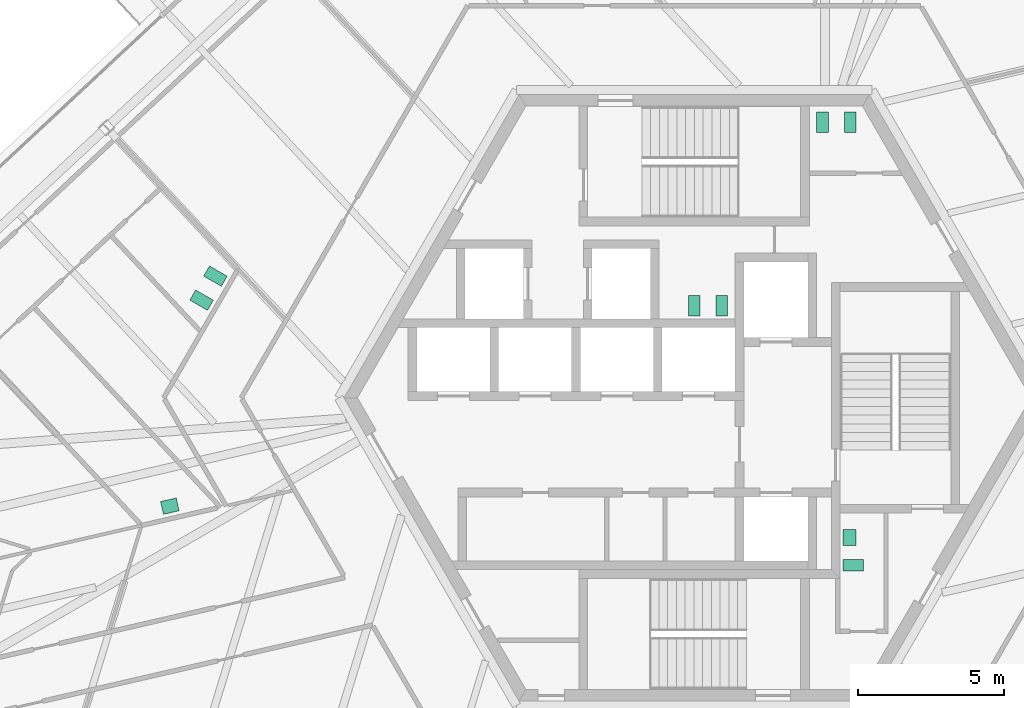
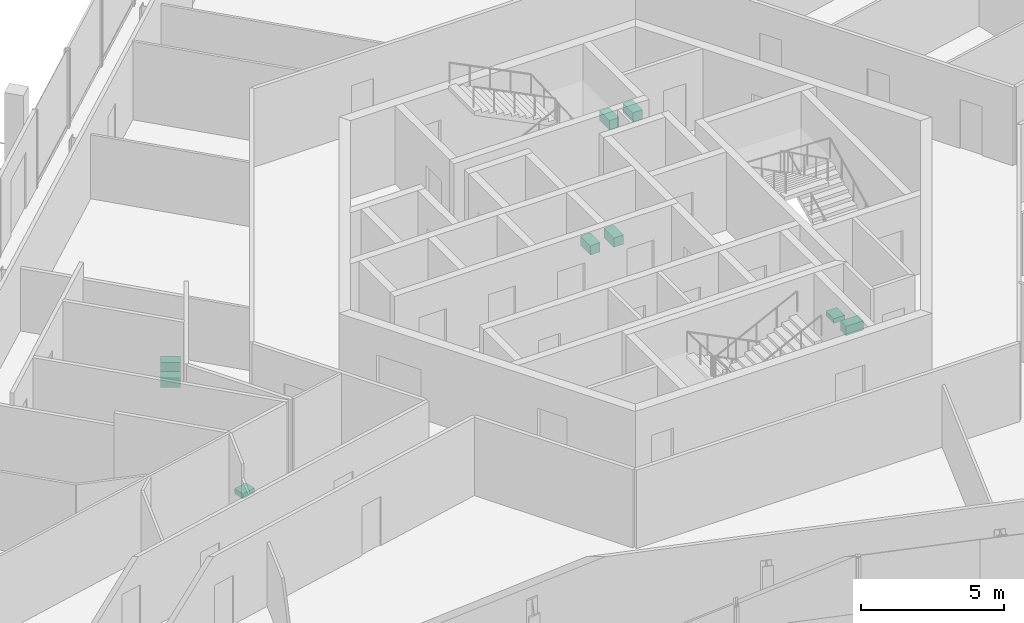
# One storey, part 23 of 25: 9 sanitary terminals.
"""IFC4 building model written with IfcOpenShell, lengths in metres."""

import ifcopenshell
import ifcopenshell.guid

model = None  # the IFC model being written
_history = None  # IfcOwnerHistory: only IFC2X3 demands one
_inside = {}  # id of a spatial element -> (the spatial element, [elements in it])
_under = {}  # id of a project, library or spatial element -> (it, [spatial elements below it])
_declared = {}  # id of a project -> (the project, [libraries it declares])
_typed = {}  # id of a type object -> (the type object, [elements of that type])
_made_of = {}  # id of a material, layer set ... -> (it, [elements and type objects made of it])


def new_model(schema):
    """Start an empty IFC model of exactly this schema.

    Asked for "IFC4X3", IfcOpenShell would pick the latest addendum, in which some entities
    have other attributes; the version numbers below select the first issue.
    IFC2X3 requires an IfcOwnerHistory on every rooted entity: one is made here for all.
    """
    global model, _history
    if schema == "IFC4X3":
        model = ifcopenshell.file(schema_version=(4, 3, 0, 0))
    else:
        model = ifcopenshell.file(schema=schema)
    _inside.clear()
    _under.clear()
    _declared.clear()
    _typed.clear()
    _made_of.clear()
    _history = None
    if model.schema == "IFC2X3":
        org = make("IfcOrganization", Name="unknown")
        user = make(
            "IfcPersonAndOrganization",
            ThePerson=make("IfcPerson", FamilyName="unknown"),
            TheOrganization=org,
        )
        app = make(
            "IfcApplication",
            ApplicationDeveloper=org,
            Version="unknown",
            ApplicationFullName="unknown",
            ApplicationIdentifier="unknown",
        )
        _history = make(
            "IfcOwnerHistory",
            OwningUser=user,
            OwningApplication=app,
            ChangeAction="ADDED",
            CreationDate=0,
        )
    return model


def make(cls, **values):
    """One entity of the class cls with the attributes given. An attribute that is None is left unset."""
    return model.create_entity(
        cls, **{name: value for name, value in values.items() if value is not None}
    )


def rooted(cls, **values):
    """An entity with a GlobalId (a new one), such as an element, a storey or a relation."""
    return make(cls, GlobalId=ifcopenshell.guid.new(), OwnerHistory=_history, **values)


def si_unit(unit_type, name, prefix=None):
    """IfcSIUnit, for example si_unit("LENGTHUNIT", "METRE", prefix="MILLI")."""
    return make("IfcSIUnit", UnitType=unit_type, Prefix=prefix, Name=name)


def assignment(units):
    """IfcUnitAssignment: the units of a project."""
    return None if units is None else make("IfcUnitAssignment", Units=units)


def point(xyz):
    """IfcCartesianPoint."""
    return None if xyz is None else make("IfcCartesianPoint", Coordinates=xyz)


def direction(xyz):
    """IfcDirection."""
    return None if xyz is None else make("IfcDirection", DirectionRatios=xyz)


def frame(location, z_axis=None, x_axis=None):
    """IfcAxis2Placement3D, a coordinate frame: its origin and axes. An axis left out is left unset."""
    return make(
        "IfcAxis2Placement3D",
        Location=point(location),
        Axis=direction(z_axis),
        RefDirection=direction(x_axis),
    )


def frame_2d(location, x_axis=None):
    """IfcAxis2Placement2D, a coordinate frame in the plane: its origin and x axis."""
    return make(
        "IfcAxis2Placement2D", Location=point(location), RefDirection=direction(x_axis)
    )


def origin():
    """The frame at (0, 0, 0) with its axes left unset."""
    return frame((0.0, 0.0, 0.0))


def origin_2d():
    """The frame at (0, 0) in the plane with its x axis left unset."""
    return frame_2d((0.0, 0.0))


def place(relative_to, where):
    """IfcLocalPlacement: puts the frame where relative to a parent placement (None: the world)."""
    return make(
        "IfcLocalPlacement", PlacementRelTo=relative_to, RelativePlacement=where
    )


def context(
    kind, dimensions, precision=None, world=None, true_north=None, identifier=None
):
    """IfcGeometricRepresentationContext, for example the 3D "Model" context."""
    return make(
        "IfcGeometricRepresentationContext",
        ContextIdentifier=identifier,
        ContextType=kind,
        CoordinateSpaceDimension=dimensions,
        Precision=precision,
        WorldCoordinateSystem=world,
        TrueNorth=true_north,
    )


def subcontext(parent, identifier, kind, view, scale=None):
    """IfcGeometricRepresentationSubContext, for example "Body" below "Model"."""
    return make(
        "IfcGeometricRepresentationSubContext",
        ContextIdentifier=identifier,
        ContextType=kind,
        ParentContext=parent,
        TargetScale=scale,
        TargetView=view,
    )


def project(units=None, contexts=None):
    """IfcProject with its units and contexts."""
    return rooted(
        "IfcProject",
        Name="project",
        RepresentationContexts=contexts,
        UnitsInContext=assignment(units),
    )


def spatial(cls, under=None, at=None, **own):
    """A site, building, storey or space (cls), placed at a placement, below another one or the project."""
    s = rooted(cls, ObjectPlacement=at, **own)
    if under is not None:
        _under.setdefault(under.id(), (under, []))[1].append(s)
    return s


def profile(cls, at=None, kind="AREA", **sizes):
    """A parametric profile (cls). Its sizes go by their IFC names, for example OverallWidth=200.0."""
    return make(cls, ProfileType=kind, Position=at, **sizes)


def rectangle(**sizes):
    """IfcRectangleProfileDef."""
    return profile("IfcRectangleProfileDef", **sizes)


def extrude(swept, where, along, depth):
    """IfcExtrudedAreaSolid: the profile swept, set in the frame where, extruded along a direction by depth."""
    return make(
        "IfcExtrudedAreaSolid",
        SweptArea=swept,
        Position=where,
        ExtrudedDirection=direction(along),
        Depth=depth,
    )


def shape(context_of_items, identifier, shape_type, items):
    """IfcShapeRepresentation: the items that make up one representation, for example the "Body"."""
    return make(
        "IfcShapeRepresentation",
        ContextOfItems=context_of_items,
        RepresentationIdentifier=identifier,
        RepresentationType=shape_type,
        Items=items,
    )


def source(mapping_origin, context_of_items, identifier, shape_type, items):
    """IfcRepresentationMap: a shape defined once, which mapped items show again and again."""
    return make(
        "IfcRepresentationMap",
        MappingOrigin=mapping_origin,
        MappedRepresentation=shape(context_of_items, identifier, shape_type, items),
    )


def transform(
    local_origin,
    x_axis=None,
    y_axis=None,
    z_axis=None,
    scale=None,
    scale2=None,
    scale3=None,
    uniform=True,
):
    """IfcCartesianTransformationOperator3D, or its non-uniform kind. x_axis, y_axis, z_axis: its Axis1, 2, 3."""
    if uniform:
        return make(
            "IfcCartesianTransformationOperator3D",
            Axis1=direction(x_axis),
            Axis2=direction(y_axis),
            LocalOrigin=point(local_origin),
            Scale=scale,
            Axis3=direction(z_axis),
        )
    return make(
        "IfcCartesianTransformationOperator3DnonUniform",
        Axis1=direction(x_axis),
        Axis2=direction(y_axis),
        LocalOrigin=point(local_origin),
        Scale=scale,
        Axis3=direction(z_axis),
        Scale2=scale2,
        Scale3=scale3,
    )


def mapped(mapping_source, mapping_target):
    """IfcMappedItem: shows the shape of a source again, moved by a transform."""
    return make(
        "IfcMappedItem", MappingSource=mapping_source, MappingTarget=mapping_target
    )


def material(Name=None, Category=None):
    """IfcMaterial."""
    return make("IfcMaterial", Name=Name, Category=Category)


def made_of(thing, what):
    """Note that an element or type object is made of a material, layer set ...; save() writes the relation."""
    if what is not None:
        _made_of.setdefault(what.id(), (what, []))[1].append(thing)
    return thing


def element(
    cls,
    number,
    at=None,
    inside=None,
    cuts=None,
    type_object=None,
    material=None,
    context=None,
    identifier="Body",
    shape_type=None,
    held_by="IfcProductDefinitionShape",
    body=None,
    shapes=None,
    **own,
):
    """One element of the class cls, such as IfcWall. Its Tag is "e" and its number.

    at: its placement. inside: the storey or other place that contains it. cuts: it is an
    opening in that element (IfcRelVoidsElement). A single representation is given by context,
    identifier, shape_type and body (its items); several are given by shapes. held_by: the class
    of the entity that holds the representations. save() writes the other relations.
    """
    e = rooted(cls, Tag="e%d" % number, ObjectPlacement=at, **own)
    if body is not None:
        shapes = [shape(context, identifier, shape_type, body)]
    if shapes is not None:
        e.Representation = make(held_by, Representations=shapes)
    if inside is not None:
        _inside.setdefault(inside.id(), (inside, []))[1].append(e)
    if cuts is not None:
        rooted(
            "IfcRelVoidsElement", RelatingBuildingElement=cuts, RelatedOpeningElement=e
        )
    if type_object is not None:
        _typed.setdefault(type_object.id(), (type_object, []))[1].append(e)
    return made_of(e, material)


def aggregate(whole, parts):
    """IfcRelAggregates: a whole, such as a stair, and the parts it consists of."""
    return rooted("IfcRelAggregates", RelatingObject=whole, RelatedObjects=parts)


def save(model, path):
    """Write the relations noted so far, then the file.

    IfcRelAggregates (storeys below a building ...), IfcRelContainedInSpatialStructure (elements
    in a storey), IfcRelDefinesByType, IfcRelAssociatesMaterial and IfcRelDeclares: one each for
    every whole, place, type object, material and project.
    """
    for whole, parts in _under.values():
        aggregate(whole, parts)
    for where, things in _inside.values():
        rooted(
            "IfcRelContainedInSpatialStructure",
            RelatedElements=things,
            RelatingStructure=where,
        )
    for kind, things in _typed.values():
        rooted("IfcRelDefinesByType", RelatedObjects=things, RelatingType=kind)
    for what, things in _made_of.values():
        rooted("IfcRelAssociatesMaterial", RelatedObjects=things, RelatingMaterial=what)
    for by, libraries in _declared.values():
        rooted("IfcRelDeclares", RelatingContext=by, RelatedDefinitions=libraries)
    model.write(path)


model = new_model("IFC4")

# Units and contexts
model_context = context("Model", 3, precision=1e-05, world=origin(), true_north=direction((0.0, 1.0)))
body_context = subcontext(model_context, "Body", "Model", "MODEL_VIEW")
ifc_project = project(units=[si_unit("LENGTHUNIT", "METRE"), si_unit("AREAUNIT", "SQUARE_METRE"), si_unit("VOLUMEUNIT", "CUBIC_METRE"), si_unit("PLANEANGLEUNIT", "RADIAN"), si_unit("MASSUNIT", "GRAM", prefix="KILO")], contexts=[model_context])

# Site, building, storey
site_placement = place(None, origin())
site = spatial("IfcSite", under=ifc_project, at=site_placement, CompositionType="ELEMENT")
building_placement = place(site_placement, origin())
building = spatial("IfcBuilding", under=site, at=building_placement, Name="Triune Harvest Tower", CompositionType="ELEMENT")
storey_placement = place(building_placement, frame((0.0, 0.0, 130.699951171875)))
storey = spatial("IfcBuildingStorey", under=building, at=storey_placement, Name="L33", CompositionType="ELEMENT", Elevation=130.699951171875)

# Sanitary terminals
ifc_material = material(Name="Vitreous china")
shared_shape_1 = source(origin(), body_context, "Body", "SweptSolid", [
    extrude(rectangle(XDim=0.39990234375, YDim=0.699951171875, at=origin_2d()), origin(), (0.0, 0.0, 1.0), 0.39990234375),
])
for number, where, z_axis, x_axis, name in (
    (1, (4.39990234375, 9.449951171875, 0.0), (0.0, 0.0, 1.0), (1.0, 0.0, 0.0), "Toilet pan L33.c01"),
    (2, (5.35009765625, 9.449951171875, 0.0), (0.0, 0.0, 1.0), (1.0, 0.0, 0.0), "Toilet pan L33.c02"),
    (3, (0.949951171875, 3.159912109375, 0.0), (0.0, 0.0, 1.0), (-1.0, 0.0, 0.0), "Toilet pan L33.c03"),
    (4, (0.0, 3.159912109375, 0.0), (0.0, 0.0, 1.0), (-1.0, 0.0, 0.0), "Toilet pan L33.c04"),
    (5, (5.449951171875, -5.739990234375, 0.0), (0.0, 0.0, 1.0), (0.0, 1.0, 0.0), "Toilet pan L33.c05"),
    (6, (-16.4052734375, 4.169677734375, 0.0), (0.0, 0.0, 1.0), (-0.500030229685, -0.866007949964, 0.0), "Toilet pan 01"),
    (7, (-16.88037109375, 3.346923828125, 0.0), (0.0, 0.0, 1.0), (-0.500030229685, -0.866007949964, 0.0), "Toilet pan 02"),
):
    element("IfcSanitaryTerminal", number, at=place(storey_placement, frame(where, z_axis=z_axis, x_axis=x_axis)), inside=storey, material=ifc_material, Name=name, PredefinedType="TOILETPAN", context=body_context, shape_type="MappedRepresentation", body=[
        mapped(shared_shape_1, transform((0.0, 0.0, 0.0), scale=1.0)),
    ])
shared_shape_2 = source(origin(), body_context, "Body", "SweptSolid", [
    extrude(rectangle(XDim=0.550048828125, YDim=0.449951171875, at=origin_2d()), origin(), (0.0, 0.0, 1.0), 0.199951171875),
])
for number, where, z_axis, x_axis, name in (
    (8, (5.324951171875, -4.7900390625, 0.0), (0.0, 0.0, 1.0), (0.0, 1.0, 0.0), "Wash basin L33.c06"),
    (9, (-17.966552734375, -3.711669921875, 0.0), (0.0, 0.0, 1.0), (-0.9743661385, -0.224968060275, 0.0), "Wash basin 03"),
):
    element("IfcSanitaryTerminal", number, at=place(storey_placement, frame(where, z_axis=z_axis, x_axis=x_axis)), inside=storey, material=ifc_material, Name=name, PredefinedType="WASHHANDBASIN", context=body_context, shape_type="MappedRepresentation", body=[
        mapped(shared_shape_2, transform((0.0, 0.0, 0.0), scale=1.0)),
    ])

save(model, "model.ifc")
